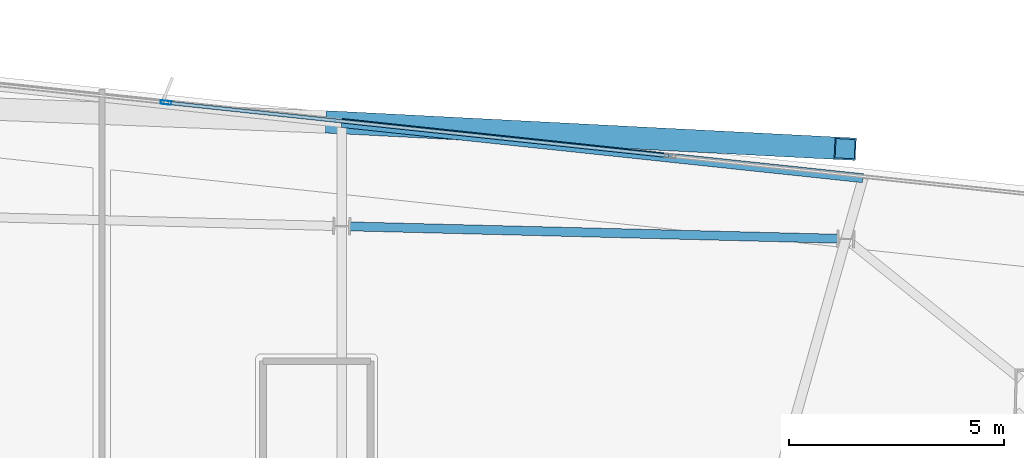
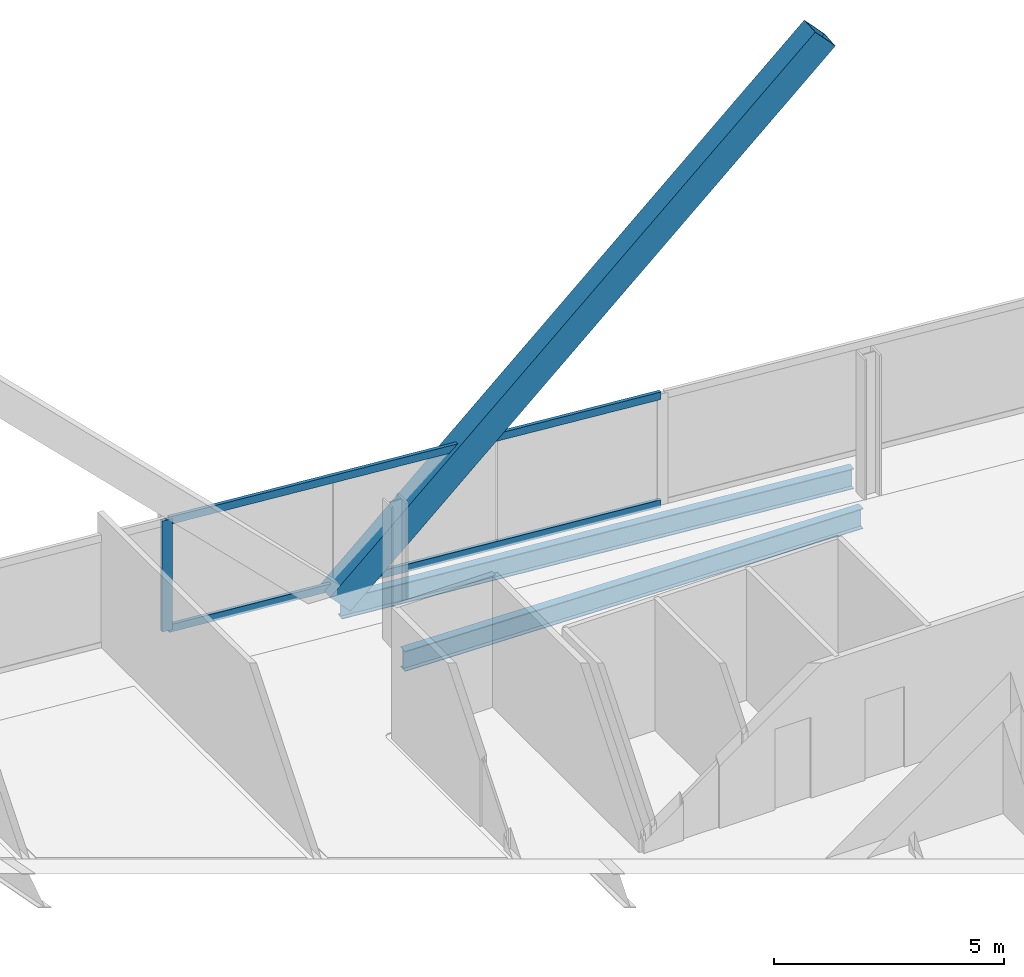
# One storey, part 14 of 24: 4 members, 2 beams, 1 element without a shape of its own.
"""IFC4 building model written with IfcOpenShell, lengths in metres."""

from ifc_helpers import new_model, si_unit, direction, frame, origin, origin_2d, place, context, subcontext, project, spatial, hollow_rectangle, i_section, extrude, material, material_profile, profile_set, type_object, element, aggregate, save


model = new_model("IFC4")

# Units and contexts
model_context = context("Model", 3, precision=1e-05, world=origin(), true_north=direction((0.0, 1.0)))
body_context = subcontext(model_context, "Body", "Model", "MODEL_VIEW")
ifc_project = project(units=[si_unit("LENGTHUNIT", "METRE"), si_unit("AREAUNIT", "SQUARE_METRE"), si_unit("VOLUMEUNIT", "CUBIC_METRE"), si_unit("PLANEANGLEUNIT", "RADIAN"), si_unit("MASSUNIT", "GRAM", prefix="KILO")], contexts=[model_context])

# Site, building, storey
site_placement = place(None, origin())
site = spatial("IfcSite", under=ifc_project, at=site_placement, CompositionType="ELEMENT")
building_placement = place(site_placement, origin())
building = spatial("IfcBuilding", under=site, at=building_placement, Name="Haldenkirk Collegiate Tower", CompositionType="ELEMENT")
storey_placement = place(building_placement, frame((0.0, 0.0, 310.199951171875)))
storey = spatial("IfcBuildingStorey", under=building, at=storey_placement, Name="L78", CompositionType="ELEMENT", Elevation=310.199951171875)

# Beams
ifc_material_1 = material(Name="Steel ASTM A992 Grade 50", Category="steel")
ifc_material_profile_1 = material_profile(ifc_material_1, i_section(OverallWidth=0.2099609375, OverallDepth=0.537109375, WebThickness=0.010986328125, FlangeThickness=0.017333984375, at=origin_2d()), Name="W21X68")
ifc_profile_set_1 = profile_set([ifc_material_profile_1], Name="Steel ASTM A992 Grade 50")
beam_type = type_object("IfcBeamType", Name="BM-SPANDREL-W21X68", PredefinedType="SPANDREL", material=ifc_profile_set_1)
beam_1_placement = place(storey_placement, frame((48.123779296875, 45.74951171875, -0.528564453125), z_axis=(-0.999679864584, 0.025301548267, 0.0), x_axis=(-0.025301548267, -0.999679864584, 0.0)))
element("IfcBeam", 1, at=beam_1_placement, inside=storey, type_object=beam_type, Name="L78 perimeter spandrel beam 06", PredefinedType="SPANDREL", context=body_context, shape_type="SweptSolid", body=[
    extrude(i_section(OverallWidth=0.2099609375, OverallDepth=0.537109375, WebThickness=0.010986328125, FlangeThickness=0.017333984375, at=origin_2d()), origin(), (0.0, 0.0, 1.0), 11.357177734375),
])
beam_2_placement = place(storey_placement, frame((48.710205078125, 47.158203125, -0.528564453125), z_axis=(-0.994430280356, 0.105396477697, 0.0), x_axis=(-0.105396477697, -0.994430280356, 0.0)))
element("IfcBeam", 2, at=beam_2_placement, inside=storey, type_object=beam_type, Name="L78 outer facade edge beam 2A", PredefinedType="SPANDREL", context=body_context, shape_type="SweptSolid", body=[
    extrude(i_section(OverallWidth=0.2099609375, OverallDepth=0.537109375, WebThickness=0.010986328125, FlangeThickness=0.017333984375, at=origin_2d()), origin(), (0.0, 0.0, 1.0), 12.19580078125),
])

# Curtain wall, members
ifc_material_2 = material(Name="Anodised architectural bronze aluminium", Category="aluminium")
curtain_wall_type = type_object("IfcCurtainWallType", Name="CW-SYS1B-CONVEX-HI", PredefinedType="USERDEFINED", material=ifc_material_2)
curtain_wall_placement = place(storey_placement, origin())
curtain_wall = element("IfcCurtainWall", 3, at=curtain_wall_placement, inside=storey, type_object=curtain_wall_type, Name="L78 Upper tower high-wind convex bronze unitised curtain wall", ObjectType="UNITISED CURTAIN WALL", PredefinedType="USERDEFINED")
ifc_material_profile_2 = material_profile(ifc_material_2, hollow_rectangle(XDim=0.0849609375, YDim=0.25, WallThickness=0.0048828125, at=origin_2d()), Name="CW-MUL-1B")
ifc_profile_set_2 = profile_set([ifc_material_profile_2], Name="Anodised architectural bronze aluminium")
member_type_1 = type_object("IfcMemberType", Name="CW-MUL-1B", PredefinedType="MULLION", material=ifc_profile_set_2)
member_1_placement = place(storey_placement, frame((32.495849609375, 48.9169921875, 0.0), z_axis=(0.0, 0.0, 1.0), x_axis=(0.10539279234, 0.994430670948, 0.0)))
member_1 = element("IfcMember", 4, at=member_1_placement, type_object=member_type_1, Name="CW-1B mullion 2", PredefinedType="MULLION", context=body_context, shape_type="SweptSolid", body=[
    extrude(hollow_rectangle(XDim=0.0849609375, YDim=0.25, WallThickness=0.0048828125, at=origin_2d()), origin(), (0.0, 0.0, 1.0), 2.947998046875),
])
ifc_material_profile_3 = material_profile(ifc_material_2, hollow_rectangle(XDim=0.0849609375, YDim=0.199951171875, WallThickness=0.0048828125, at=origin_2d()), Name="CW-TRN-1B")
ifc_profile_set_3 = profile_set([ifc_material_profile_3], Name="Anodised architectural bronze aluminium")
member_type_2 = type_object("IfcMemberType", Name="CW-TRN-1B", PredefinedType="USERDEFINED", material=ifc_profile_set_3)
member_2_placement = place(storey_placement, frame((32.5380859375, 48.91259765625, 0.04248046875), z_axis=(0.994429139833, -0.105407238134, 0.0), x_axis=(0.105407238134, 0.994429139833, 0.0)))
member_2 = element("IfcMember", 5, at=member_2_placement, type_object=member_type_2, Name="CW-1B transom 2.1", ObjectType="TRANSOM", PredefinedType="USERDEFINED", context=body_context, shape_type="SweptSolid", body=[
    extrude(hollow_rectangle(XDim=0.0849609375, YDim=0.199951171875, WallThickness=0.0048828125, at=origin_2d()), origin(), (0.0, 0.0, 1.0), 11.715087890625),
])
member_3_placement = place(storey_placement, frame((32.5380859375, 48.91259765625, 2.905517578125), z_axis=(0.994429139833, -0.105407238134, 0.0), x_axis=(0.105407238134, 0.994429139833, 0.0)))
member_3 = element("IfcMember", 6, at=member_3_placement, type_object=member_type_2, Name="CW-1B transom 2.2", ObjectType="TRANSOM", PredefinedType="USERDEFINED", context=body_context, shape_type="SweptSolid", body=[
    extrude(hollow_rectangle(XDim=0.0849609375, YDim=0.199951171875, WallThickness=0.0048828125, at=origin_2d()), origin(), (0.0, 0.0, 1.0), 11.715087890625),
])
aggregate(curtain_wall, [member_1, member_2, member_3])

# Member
ifc_material_3 = material(Name="Steel ASTM A572 Grade 50", Category="steel")
ifc_material_profile_4 = material_profile(ifc_material_3, hollow_rectangle(XDim=0.52001953125, YDim=0.719970703125, WallThickness=0.035888671875, at=origin_2d()), Name="BOX720X520X36")
ifc_profile_set_4 = profile_set([ifc_material_profile_4], Name="Steel ASTM A572 Grade 50")
member_type_3 = type_object("IfcMemberType", Name="MBR-MEGABRACE-BOX720X520X36", PredefinedType="BRACE", material=ifc_profile_set_4)
member_4_placement = place(storey_placement, frame((36.457763671875, 48.456787109375, -0.27001953125), z_axis=(0.724396831944, -0.037450772451, 0.688365215211), x_axis=(0.051630296357, 0.998666266827, 0.0)))
element("IfcMember", 7, at=member_4_placement, inside=storey, type_object=member_type_3, Name="Perimeter Mega Brace Z6 L78-L80 EL", PredefinedType="BRACE", context=body_context, shape_type="SweptSolid", body=[
    extrude(hollow_rectangle(XDim=0.52001953125, YDim=0.719970703125, WallThickness=0.035888671875, at=origin_2d()), origin(), (0.0, 0.0, 1.0), 16.343017578125),
])

save(model, "model.ifc")
